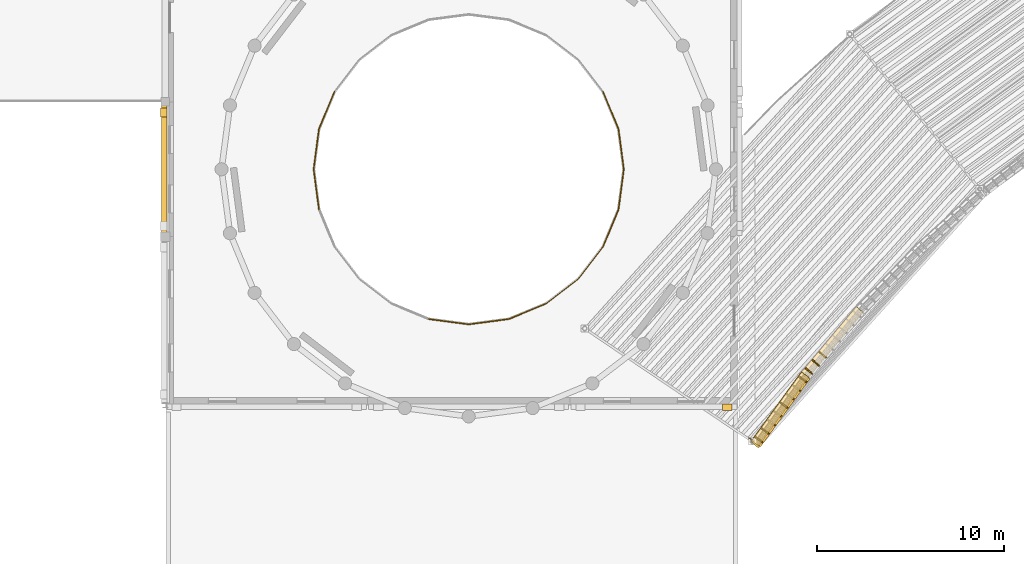
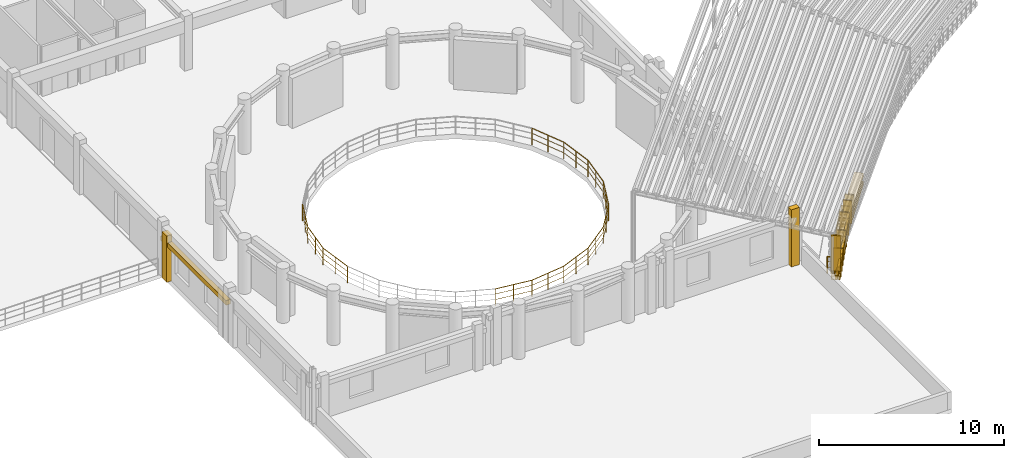
# One storey, part 62 of 74: 16 shading devices, 15 coverings, 15 railings.
"""IFC4 building model written with IfcOpenShell, lengths in metres."""

from ifc_helpers import new_model, si_unit, direction, frame, frame_2d, origin, origin_2d, place, context, subcontext, project, spatial, rectangle, circle, extrude, material, layer, layer_set, type_object, element, save


model = new_model("IFC4")

# Units and contexts
model_context = context("Model", 3, precision=1e-05, world=origin(), true_north=direction((0.0, 1.0)))
body_context = subcontext(model_context, "Body", "Model", "MODEL_VIEW")
ifc_project = project(units=[si_unit("LENGTHUNIT", "METRE"), si_unit("AREAUNIT", "SQUARE_METRE"), si_unit("VOLUMEUNIT", "CUBIC_METRE"), si_unit("PLANEANGLEUNIT", "RADIAN"), si_unit("MASSUNIT", "GRAM", prefix="KILO")], contexts=[model_context])

# Site, building, storey
site_placement = place(None, origin())
site = spatial("IfcSite", under=ifc_project, at=site_placement, CompositionType="ELEMENT")
building_placement = place(site_placement, origin())
building = spatial("IfcBuilding", under=site, at=building_placement, Name="Clarverna Civic Hall", CompositionType="ELEMENT")
storey_placement = place(building_placement, frame((0.0, 0.0, 13.199951171875)))
storey = spatial("IfcBuildingStorey", under=building, at=storey_placement, Name="L03", CompositionType="ELEMENT", Elevation=13.199951171875)

# Coverings
ifc_material_1 = material(Name="Thermally Modified Teak Wood Slat Fascia Cladding", Category="wood")
ifc_layer_1 = layer(ifc_material_1, 0.080078125)
ifc_layer_set_1 = layer_set([ifc_layer_1], Name="Thermally Modified Teak Wood Slat Fascia Cladding")
covering_type_1 = type_object("IfcCoveringType", Name="CV-CL1", PredefinedType="CLADDING", material=ifc_layer_set_1)
for number, where, z_axis, x_axis, name in (
    (1, (103.684814453125, 51.51171875, -0.3798828125), (0.0, 0.0, 1.0), (-0.642776820279, -0.766053496377, 0.0), "CV-CL1-175"),
    (2, (103.684814453125, 51.51171875, 0.16015625), (0.0, 0.0, 1.0), (-0.642776820279, -0.766053496377, 0.0), "CV-CL1-176"),
):
    element("IfcCovering", number, at=place(storey_placement, frame(where, z_axis=z_axis, x_axis=x_axis)), inside=storey, type_object=covering_type_1, Name=name, PredefinedType="CLADDING", context=body_context, shape_type="SweptSolid", body=[
        extrude(rectangle(XDim=4.551025390625, YDim=0.5, at=frame_2d((2.275390625, 0.0))), origin(), (0.0, 0.0, 1.0), 0.260009765625),
    ])
for number, where, z_axis, x_axis, name in (
    (3, (101.1396484375, 48.820556640625, -0.35986328125), (0.0, 0.0, 1.0), (0.765935619131, -0.642917278774, 0.0), "CV-CL1-180"),
    (4, (100.77392578125, 48.384765625, -0.35986328125), (0.0, 0.0, 1.0), (0.765935619131, -0.642917278774, 0.0), "CV-CL1-181"),
):
    element("IfcCovering", number, at=place(storey_placement, frame(where, z_axis=z_axis, x_axis=x_axis)), inside=storey, type_object=covering_type_1, Name=name, PredefinedType="CLADDING", context=body_context, shape_type="SweptSolid", body=[
        extrude(rectangle(XDim=0.5, YDim=0.070068359375, at=frame_2d((0.25, 0.0))), origin(), (0.0, 0.0, 1.0), 1.52001953125),
    ])
for number, where, z_axis, x_axis, name in (
    (5, (100.767333984375, 48.035400390625, -0.3798828125), (0.0, 0.0, 1.0), (-0.587785678369, -0.809016684812, 0.0), "CV-CL1-182"),
    (6, (100.767333984375, 48.035400390625, 0.16015625), (0.0, 0.0, 1.0), (-0.587785678369, -0.809016684812, 0.0), "CV-CL1-183"),
):
    element("IfcCovering", number, at=place(storey_placement, frame(where, z_axis=z_axis, x_axis=x_axis)), inside=storey, type_object=covering_type_1, Name=name, PredefinedType="CLADDING", context=body_context, shape_type="SweptSolid", body=[
        extrude(rectangle(XDim=4.551025390625, YDim=0.5, at=frame_2d((2.275390625, 0.0))), origin(), (0.0, 0.0, 1.0), 0.260009765625),
    ])
covering_1_placement = place(storey_placement, frame((100.767333984375, 48.035400390625, 0.679931640625), z_axis=(0.0, 0.0, 1.0), x_axis=(-0.587785678369, -0.809016684812, 0.0)))
element("IfcCovering", 7, at=covering_1_placement, inside=storey, type_object=covering_type_1, Name="CV-CL1-184", PredefinedType="CLADDING", context=body_context, shape_type="SweptSolid", body=[
    extrude(rectangle(XDim=4.551025390625, YDim=0.5, at=frame_2d((2.275390625, 0.0))), origin(), (0.0, 0.0, 1.0), 0.280029296875),
])
covering_2_placement = place(storey_placement, frame((100.422119140625, 47.9345703125, -0.35986328125), z_axis=(0.0, 0.0, 1.0), x_axis=(0.808989358634, -0.587823287746, 0.0)))
element("IfcCovering", 8, at=covering_2_placement, inside=storey, type_object=covering_type_1, Name="CV-CL1-185", PredefinedType="CLADDING", context=body_context, shape_type="SweptSolid", body=[
    extrude(rectangle(XDim=0.5, YDim=0.070068359375, at=frame_2d((0.25, 0.0))), origin(), (0.0, 0.0, 1.0), 1.52001953125),
])
covering_3_placement = place(storey_placement, frame((99.419189453125, 46.553955078125, -0.35986328125), z_axis=(0.0, 0.0, 1.0), x_axis=(0.808820559111, -0.588055527276, 0.0)))
element("IfcCovering", 9, at=covering_3_placement, inside=storey, type_object=covering_type_1, Name="CV-CL1-186", PredefinedType="CLADDING", context=body_context, shape_type="SweptSolid", body=[
    extrude(rectangle(XDim=0.499755859375, YDim=0.070068359375, at=frame_2d((0.25, 0.0))), origin(), (0.0, 0.0, 1.0), 1.52001953125),
])
for number, where, z_axis, x_axis, name in (
    (10, (98.416015625, 45.173095703125, -0.35986328125), (0.0, 0.0, 1.0), (0.809221534158, -0.587503624376, 0.0), "CV-CL1-187"),
    (11, (98.08154296875, 44.712890625, -0.35986328125), (0.0, 0.0, 1.0), (0.809221534158, -0.587503624376, 0.0), "CV-CL1-188"),
):
    element("IfcCovering", number, at=place(storey_placement, frame(where, z_axis=z_axis, x_axis=x_axis)), inside=storey, type_object=covering_type_1, Name=name, PredefinedType="CLADDING", context=body_context, shape_type="SweptSolid", body=[
        extrude(rectangle(XDim=0.5, YDim=0.070068359375, at=frame_2d((0.25, 0.0))), origin(), (0.0, 0.0, 1.0), 1.52001953125),
    ])
covering_4_placement = place(storey_placement, frame((97.90966796875, 44.492919921875, 0.25), z_axis=(0.0, 0.0, 1.0), x_axis=(0.743008419949, -0.669282069, 0.0)))
element("IfcCovering", 12, at=covering_4_placement, inside=storey, type_object=covering_type_1, Name="CV-CL1-198", PredefinedType="CLADDING", context=body_context, shape_type="SweptSolid", body=[
    extrude(rectangle(XDim=0.510009765625, YDim=0.10009765625, at=frame_2d((0.2548828125, 0.0))), origin(), (0.0, 0.0, 1.0), 2.35009765625),
])
ifc_material_2 = material(Name="Montjuic Buff Limestone Ashlar Cladding", Category="masonry")
ifc_layer_2 = layer(ifc_material_2, 0.070068359375)
ifc_layer_set_2 = layer_set([ifc_layer_2], Name="Montjuic Buff Limestone Ashlar Cladding")
covering_type_2 = type_object("IfcCoveringType", Name="CV-CL2", PredefinedType="CLADDING", material=ifc_layer_set_2)
covering_5_placement = place(storey_placement, frame((96.85498046875, 46.2900390625, 0.0), z_axis=(0.0, 0.0, 1.0), x_axis=(-1.0, 0.0, 0.0)))
element("IfcCovering", 13, at=covering_5_placement, inside=storey, type_object=covering_type_2, Name="CV-CL2-606", PredefinedType="CLADDING", context=body_context, shape_type="SweptSolid", body=[
    extrude(rectangle(XDim=0.5, YDim=0.340087890625, at=frame_2d((0.25, 0.0))), origin(), (0.0, 0.0, 1.0), 3.780029296875),
])
covering_6_placement = place(storey_placement, frame((66.544921875, 55.4599609375, 2.300048828125), z_axis=(0.0, 0.0, 1.0), x_axis=(0.0, 1.0, 0.0)))
element("IfcCovering", 14, at=covering_6_placement, inside=storey, type_object=covering_type_2, Name="CV-CL2-617", PredefinedType="CLADDING", context=body_context, shape_type="SweptSolid", body=[
    extrude(rectangle(XDim=7.080078125, YDim=0.280029296875, at=frame_2d((3.5400390625, 0.0))), origin(), (0.0, 0.0, 1.0), 0.300048828125),
])
covering_7_placement = place(storey_placement, frame((66.514892578125, 61.780029296875, 0.0), z_axis=(0.0, 0.0, 1.0), x_axis=(0.0, 1.0, 0.0)))
element("IfcCovering", 15, at=covering_7_placement, inside=storey, type_object=covering_type_2, Name="CV-CL2-619", PredefinedType="CLADDING", context=body_context, shape_type="SweptSolid", body=[
    extrude(rectangle(XDim=0.5, YDim=0.340087890625, at=frame_2d((0.25, 0.0))), origin(), (0.0, 0.0, 1.0), 3.06005859375),
])

# Railings
ifc_material_3 = material(Name="Anodised Bronze Architectural Balustrade")
railing_type_1 = type_object("IfcRailingType", Name="GR-01", PredefinedType="BALUSTRADE", material=ifc_material_3)
railing_1_placement = place(storey_placement, frame((100.5732421875, 48.176513671875, 0.0)))
element("IfcRailing", 16, at=railing_1_placement, inside=storey, type_object=railing_type_1, Name="GR-01-023", PredefinedType="BALUSTRADE", context=body_context, shape_type="SweptSolid", body=[
    extrude(circle(Radius=0.02392578125, at=origin_2d()), frame((0.0, 0.0, 1.09619140625), z_axis=(-0.587785678369, -0.809016684812, 0.0), x_axis=(0.809016684812, -0.587785678369, 0.0)), (0.0, 0.0, 1.0), 4.551025390625),
    extrude(circle(Radius=0.011962890625, at=origin_2d()), frame((0.0, 0.0, 0.39208984375), z_axis=(-0.587785678369, -0.809016684812, 0.0), x_axis=(0.809016684812, -0.587785678369, 0.0)), (0.0, 0.0, 1.0), 4.551025390625),
    extrude(circle(Radius=0.011962890625, at=origin_2d()), frame((0.0, 0.0, 0.76171875), z_axis=(-0.587785678369, -0.809016684812, 0.0), x_axis=(0.809016684812, -0.587785678369, 0.0)), (0.0, 0.0, 1.0), 4.551025390625),
    extrude(circle(Radius=0.02099609375, at=origin_2d()), origin(), (0.0, 0.0, 1.0), 1.072021484375),
    extrude(circle(Radius=0.02099609375, at=origin_2d()), frame((-0.668701171875, -0.92041015625, 0.0)), (0.0, 0.0, 1.0), 1.072021484375),
    extrude(circle(Radius=0.02099609375, at=origin_2d()), frame((-1.33740234375, -1.8408203125, 0.0)), (0.0, 0.0, 1.0), 1.072021484375),
    extrude(circle(Radius=0.02099609375, at=origin_2d()), frame((-2.00634765625, -2.761474609375, 0.0)), (0.0, 0.0, 1.0), 1.072021484375),
    extrude(circle(Radius=0.02099609375, at=origin_2d()), frame((-2.675048828125, -3.681884765625, 0.0)), (0.0, 0.0, 1.0), 1.072021484375),
])
railing_2_placement = place(storey_placement, frame((97.98046875, 44.509033203125, 0.0)))
element("IfcRailing", 17, at=railing_2_placement, inside=storey, type_object=railing_type_1, Name="GR-01-024", PredefinedType="BALUSTRADE", context=body_context, shape_type="SweptSolid", body=[
    extrude(circle(Radius=0.02392578125, at=origin_2d()), frame((0.0, 0.0, 1.09619140625), z_axis=(-0.829091794241, 0.559112508108, 0.0), x_axis=(-0.559112508108, -0.829091794241, 0.0)), (0.0, 0.0, 1.0), 0.267578125),
    extrude(circle(Radius=0.011962890625, at=origin_2d()), frame((0.0, 0.0, 0.39208984375), z_axis=(-0.829091794241, 0.559112508108, 0.0), x_axis=(-0.559112508108, -0.829091794241, 0.0)), (0.0, 0.0, 1.0), 0.267578125),
    extrude(circle(Radius=0.011962890625, at=origin_2d()), frame((0.0, 0.0, 0.76171875), z_axis=(-0.829091794241, 0.559112508108, 0.0), x_axis=(-0.559112508108, -0.829091794241, 0.0)), (0.0, 0.0, 1.0), 0.267578125),
    extrude(circle(Radius=0.02099609375, at=origin_2d()), origin(), (0.0, 0.0, 1.0), 1.072021484375),
    extrude(circle(Radius=0.02099609375, at=origin_2d()), frame((-0.221923828125, 0.149658203125, 0.0)), (0.0, 0.0, 1.0), 1.072021484375),
])
railing_type_2 = type_object("IfcRailingType", Name="GR-02", PredefinedType="BALUSTRADE", material=ifc_material_3)
railing_3_placement = place(storey_placement, frame((91.080810546875, 59.0, 0.0)))
element("IfcRailing", 18, at=railing_3_placement, inside=storey, type_object=railing_type_2, Name="GR-02-240", PredefinedType="BALUSTRADE", context=body_context, shape_type="SweptSolid", body=[
    extrude(circle(Radius=0.02392578125, at=origin_2d()), frame((0.0, 0.0, 1.09619140625), z_axis=(-0.130550916571, -0.991441606038, 0.0), x_axis=(0.991441606038, -0.130550916571, 0.0)), (0.0, 0.0, 1.0), 2.161865234375),
    extrude(circle(Radius=0.011962890625, at=origin_2d()), frame((0.0, 0.0, 0.39208984375), z_axis=(-0.130550916571, -0.991441606038, 0.0), x_axis=(0.991441606038, -0.130550916571, 0.0)), (0.0, 0.0, 1.0), 2.161865234375),
    extrude(circle(Radius=0.011962890625, at=origin_2d()), frame((0.0, 0.0, 0.76171875), z_axis=(-0.130550916571, -0.991441606038, 0.0), x_axis=(0.991441606038, -0.130550916571, 0.0)), (0.0, 0.0, 1.0), 2.161865234375),
    extrude(circle(Radius=0.02099609375, at=origin_2d()), origin(), (0.0, 0.0, 1.0), 1.072021484375),
    extrude(circle(Radius=0.02099609375, at=origin_2d()), frame((-0.14111328125, -1.07177734375, 0.0)), (0.0, 0.0, 1.0), 1.072021484375),
    extrude(circle(Radius=0.02099609375, at=origin_2d()), frame((-0.2822265625, -2.143310546875, 0.0)), (0.0, 0.0, 1.0), 1.072021484375),
])
railing_4_placement = place(storey_placement, frame((90.798583984375, 56.856689453125, 0.0)))
element("IfcRailing", 19, at=railing_4_placement, inside=storey, type_object=railing_type_2, Name="GR-02-241", PredefinedType="BALUSTRADE", context=body_context, shape_type="SweptSolid", body=[
    extrude(circle(Radius=0.02392578125, at=origin_2d()), frame((0.0, 0.0, 1.09619140625), z_axis=(-0.382754098525, -0.923850258463, 0.0), x_axis=(0.923850258463, -0.382754098525, 0.0)), (0.0, 0.0, 1.0), 2.16162109375),
    extrude(circle(Radius=0.011962890625, at=origin_2d()), frame((0.0, 0.0, 0.39208984375), z_axis=(-0.382754098525, -0.923850258463, 0.0), x_axis=(0.923850258463, -0.382754098525, 0.0)), (0.0, 0.0, 1.0), 2.16162109375),
    extrude(circle(Radius=0.011962890625, at=origin_2d()), frame((0.0, 0.0, 0.76171875), z_axis=(-0.382754098525, -0.923850258463, 0.0), x_axis=(0.923850258463, -0.382754098525, 0.0)), (0.0, 0.0, 1.0), 2.16162109375),
    extrude(circle(Radius=0.02099609375, at=origin_2d()), origin(), (0.0, 0.0, 1.0), 1.072021484375),
    extrude(circle(Radius=0.02099609375, at=origin_2d()), frame((-0.41357421875, -0.99853515625, 0.0)), (0.0, 0.0, 1.0), 1.072021484375),
    extrude(circle(Radius=0.02099609375, at=origin_2d()), frame((-0.827392578125, -1.9970703125, 0.0)), (0.0, 0.0, 1.0), 1.072021484375),
])
railing_5_placement = place(storey_placement, frame((89.97119140625, 54.859619140625, 0.0)))
element("IfcRailing", 20, at=railing_5_placement, inside=storey, type_object=railing_type_2, Name="GR-02-242", PredefinedType="BALUSTRADE", context=body_context, shape_type="SweptSolid", body=[
    extrude(circle(Radius=0.02392578125, at=origin_2d()), frame((0.0, 0.0, 1.09619140625), z_axis=(-0.608656775429, -0.793433632842, 0.0), x_axis=(0.793433632842, -0.608656775429, 0.0)), (0.0, 0.0, 1.0), 2.16162109375),
    extrude(circle(Radius=0.011962890625, at=origin_2d()), frame((0.0, 0.0, 0.39208984375), z_axis=(-0.608656775429, -0.793433632842, 0.0), x_axis=(0.793433632842, -0.608656775429, 0.0)), (0.0, 0.0, 1.0), 2.16162109375),
    extrude(circle(Radius=0.011962890625, at=origin_2d()), frame((0.0, 0.0, 0.76171875), z_axis=(-0.608656775429, -0.793433632842, 0.0), x_axis=(0.793433632842, -0.608656775429, 0.0)), (0.0, 0.0, 1.0), 2.16162109375),
    extrude(circle(Radius=0.02099609375, at=origin_2d()), origin(), (0.0, 0.0, 1.0), 1.072021484375),
    extrude(circle(Radius=0.02099609375, at=origin_2d()), frame((-0.65771484375, -0.857421875, 0.0)), (0.0, 0.0, 1.0), 1.072021484375),
    extrude(circle(Radius=0.02099609375, at=origin_2d()), frame((-1.315673828125, -1.715087890625, 0.0)), (0.0, 0.0, 1.0), 1.072021484375),
])
railing_6_placement = place(storey_placement, frame((88.655517578125, 53.14453125, 0.0)))
element("IfcRailing", 21, at=railing_6_placement, inside=storey, type_object=railing_type_2, Name="GR-02-243", PredefinedType="BALUSTRADE", context=body_context, shape_type="SweptSolid", body=[
    extrude(circle(Radius=0.02392578125, at=origin_2d()), frame((0.0, 0.0, 1.09619140625), z_axis=(-0.793420932323, -0.60867333123, 0.0), x_axis=(0.60867333123, -0.793420932323, 0.0)), (0.0, 0.0, 1.0), 2.161865234375),
    extrude(circle(Radius=0.011962890625, at=origin_2d()), frame((0.0, 0.0, 0.39208984375), z_axis=(-0.793420932323, -0.60867333123, 0.0), x_axis=(0.60867333123, -0.793420932323, 0.0)), (0.0, 0.0, 1.0), 2.161865234375),
    extrude(circle(Radius=0.011962890625, at=origin_2d()), frame((0.0, 0.0, 0.76171875), z_axis=(-0.793420932323, -0.60867333123, 0.0), x_axis=(0.60867333123, -0.793420932323, 0.0)), (0.0, 0.0, 1.0), 2.161865234375),
    extrude(circle(Radius=0.02099609375, at=origin_2d()), origin(), (0.0, 0.0, 1.0), 1.072021484375),
    extrude(circle(Radius=0.02099609375, at=origin_2d()), frame((-0.857666015625, -0.657958984375, 0.0)), (0.0, 0.0, 1.0), 1.072021484375),
    extrude(circle(Radius=0.02099609375, at=origin_2d()), frame((-1.71533203125, -1.31591796875, 0.0)), (0.0, 0.0, 1.0), 1.072021484375),
])
railing_7_placement = place(storey_placement, frame((86.940185546875, 51.82861328125, 0.0)))
element("IfcRailing", 22, at=railing_7_placement, inside=storey, type_object=railing_type_2, Name="GR-02-244", PredefinedType="BALUSTRADE", context=body_context, shape_type="SweptSolid", body=[
    extrude(circle(Radius=0.02392578125, at=origin_2d()), frame((0.0, 0.0, 1.09619140625), z_axis=(-0.923890191634, -0.382657697953, 0.0), x_axis=(0.382657697953, -0.923890191634, 0.0)), (0.0, 0.0, 1.0), 2.16162109375),
    extrude(circle(Radius=0.011962890625, at=origin_2d()), frame((0.0, 0.0, 0.39208984375), z_axis=(-0.923890191634, -0.382657697953, 0.0), x_axis=(0.382657697953, -0.923890191634, 0.0)), (0.0, 0.0, 1.0), 2.16162109375),
    extrude(circle(Radius=0.011962890625, at=origin_2d()), frame((0.0, 0.0, 0.76171875), z_axis=(-0.923890191634, -0.382657697953, 0.0), x_axis=(0.382657697953, -0.923890191634, 0.0)), (0.0, 0.0, 1.0), 2.16162109375),
    extrude(circle(Radius=0.02099609375, at=origin_2d()), origin(), (0.0, 0.0, 1.0), 1.072021484375),
    extrude(circle(Radius=0.02099609375, at=origin_2d()), frame((-0.99853515625, -0.41357421875, 0.0)), (0.0, 0.0, 1.0), 1.072021484375),
    extrude(circle(Radius=0.02099609375, at=origin_2d()), frame((-1.9970703125, -0.8271484375, 0.0)), (0.0, 0.0, 1.0), 1.072021484375),
])
railing_8_placement = place(storey_placement, frame((84.943115234375, 51.00146484375, 0.0)))
element("IfcRailing", 23, at=railing_8_placement, inside=storey, type_object=railing_type_2, Name="GR-02-245", PredefinedType="BALUSTRADE", context=body_context, shape_type="SweptSolid", body=[
    extrude(circle(Radius=0.02392578125, at=origin_2d()), frame((0.0, 0.0, 1.09619140625), z_axis=(-0.991439680931, -0.130565535561, 0.0), x_axis=(0.130565535561, -0.991439680931, 0.0)), (0.0, 0.0, 1.0), 2.16162109375),
    extrude(circle(Radius=0.011962890625, at=origin_2d()), frame((0.0, 0.0, 0.39208984375), z_axis=(-0.991439680931, -0.130565535561, 0.0), x_axis=(0.130565535561, -0.991439680931, 0.0)), (0.0, 0.0, 1.0), 2.16162109375),
    extrude(circle(Radius=0.011962890625, at=origin_2d()), frame((0.0, 0.0, 0.76171875), z_axis=(-0.991439680931, -0.130565535561, 0.0), x_axis=(0.130565535561, -0.991439680931, 0.0)), (0.0, 0.0, 1.0), 2.16162109375),
    extrude(circle(Radius=0.02099609375, at=origin_2d()), origin(), (0.0, 0.0, 1.0), 1.072021484375),
    extrude(circle(Radius=0.02099609375, at=origin_2d()), frame((-1.071533203125, -0.14111328125, 0.0)), (0.0, 0.0, 1.0), 1.072021484375),
    extrude(circle(Radius=0.02099609375, at=origin_2d()), frame((-2.14306640625, -0.2822265625, 0.0)), (0.0, 0.0, 1.0), 1.072021484375),
])
railing_9_placement = place(storey_placement, frame((82.800048828125, 50.71923828125, 0.0)))
element("IfcRailing", 24, at=railing_9_placement, inside=storey, type_object=railing_type_2, Name="GR-02-246", PredefinedType="BALUSTRADE", context=body_context, shape_type="SweptSolid", body=[
    extrude(circle(Radius=0.02392578125, at=origin_2d()), frame((0.0, 0.0, 1.09619140625), z_axis=(-0.991441606038, 0.130550916571, 0.0), x_axis=(-0.130550916571, -0.991441606038, 0.0)), (0.0, 0.0, 1.0), 2.161865234375),
    extrude(circle(Radius=0.011962890625, at=origin_2d()), frame((0.0, 0.0, 0.39208984375), z_axis=(-0.991441606038, 0.130550916571, 0.0), x_axis=(-0.130550916571, -0.991441606038, 0.0)), (0.0, 0.0, 1.0), 2.161865234375),
    extrude(circle(Radius=0.011962890625, at=origin_2d()), frame((0.0, 0.0, 0.76171875), z_axis=(-0.991441606038, 0.130550916571, 0.0), x_axis=(-0.130550916571, -0.991441606038, 0.0)), (0.0, 0.0, 1.0), 2.161865234375),
    extrude(circle(Radius=0.02099609375, at=origin_2d()), origin(), (0.0, 0.0, 1.0), 1.072021484375),
    extrude(circle(Radius=0.02099609375, at=origin_2d()), frame((-1.07177734375, 0.14111328125, 0.0)), (0.0, 0.0, 1.0), 1.072021484375),
    extrude(circle(Radius=0.02099609375, at=origin_2d()), frame((-2.143310546875, 0.2822265625, 0.0)), (0.0, 0.0, 1.0), 1.072021484375),
])
railing_10_placement = place(storey_placement, frame((74.801513671875, 56.856689453125, 0.0)))
element("IfcRailing", 25, at=railing_10_placement, inside=storey, type_object=railing_type_2, Name="GR-02-251", PredefinedType="BALUSTRADE", context=body_context, shape_type="SweptSolid", body=[
    extrude(circle(Radius=0.02392578125, at=origin_2d()), frame((0.0, 0.0, 1.09619140625), z_axis=(-0.130550916571, 0.991441606038, 0.0), x_axis=(-0.991441606038, -0.130550916571, 0.0)), (0.0, 0.0, 1.0), 2.161865234375),
    extrude(circle(Radius=0.011962890625, at=origin_2d()), frame((0.0, 0.0, 0.39208984375), z_axis=(-0.130550916571, 0.991441606038, 0.0), x_axis=(-0.991441606038, -0.130550916571, 0.0)), (0.0, 0.0, 1.0), 2.161865234375),
    extrude(circle(Radius=0.011962890625, at=origin_2d()), frame((0.0, 0.0, 0.76171875), z_axis=(-0.130550916571, 0.991441606038, 0.0), x_axis=(-0.991441606038, -0.130550916571, 0.0)), (0.0, 0.0, 1.0), 2.161865234375),
    extrude(circle(Radius=0.02099609375, at=origin_2d()), origin(), (0.0, 0.0, 1.0), 1.072021484375),
    extrude(circle(Radius=0.02099609375, at=origin_2d()), frame((-0.14111328125, 1.07177734375, 0.0)), (0.0, 0.0, 1.0), 1.072021484375),
    extrude(circle(Radius=0.02099609375, at=origin_2d()), frame((-0.2822265625, 2.143310546875, 0.0)), (0.0, 0.0, 1.0), 1.072021484375),
])
railing_11_placement = place(storey_placement, frame((74.519287109375, 59.0, 0.0)))
element("IfcRailing", 26, at=railing_11_placement, inside=storey, type_object=railing_type_2, Name="GR-02-252", PredefinedType="BALUSTRADE", context=body_context, shape_type="SweptSolid", body=[
    extrude(circle(Radius=0.02392578125, at=origin_2d()), frame((0.0, 0.0, 1.09619140625), z_axis=(0.130550916571, 0.991441606038, 0.0), x_axis=(-0.991441606038, 0.130550916571, 0.0)), (0.0, 0.0, 1.0), 2.161865234375),
    extrude(circle(Radius=0.011962890625, at=origin_2d()), frame((0.0, 0.0, 0.39208984375), z_axis=(0.130550916571, 0.991441606038, 0.0), x_axis=(-0.991441606038, 0.130550916571, 0.0)), (0.0, 0.0, 1.0), 2.161865234375),
    extrude(circle(Radius=0.011962890625, at=origin_2d()), frame((0.0, 0.0, 0.76171875), z_axis=(0.130550916571, 0.991441606038, 0.0), x_axis=(-0.991441606038, 0.130550916571, 0.0)), (0.0, 0.0, 1.0), 2.161865234375),
    extrude(circle(Radius=0.02099609375, at=origin_2d()), origin(), (0.0, 0.0, 1.0), 1.072021484375),
    extrude(circle(Radius=0.02099609375, at=origin_2d()), frame((0.14111328125, 1.07177734375, 0.0)), (0.0, 0.0, 1.0), 1.072021484375),
    extrude(circle(Radius=0.02099609375, at=origin_2d()), frame((0.2822265625, 2.143310546875, 0.0)), (0.0, 0.0, 1.0), 1.072021484375),
])
railing_12_placement = place(storey_placement, frame((74.801513671875, 61.143310546875, 0.0)))
element("IfcRailing", 27, at=railing_12_placement, inside=storey, type_object=railing_type_2, Name="GR-02-253", PredefinedType="BALUSTRADE", context=body_context, shape_type="SweptSolid", body=[
    extrude(circle(Radius=0.02392578125, at=origin_2d()), frame((0.0, 0.0, 1.09619140625), z_axis=(0.382657697953, 0.923890191634, 0.0), x_axis=(-0.923890191634, 0.382657697953, 0.0)), (0.0, 0.0, 1.0), 2.16162109375),
    extrude(circle(Radius=0.011962890625, at=origin_2d()), frame((0.0, 0.0, 0.39208984375), z_axis=(0.382657697953, 0.923890191634, 0.0), x_axis=(-0.923890191634, 0.382657697953, 0.0)), (0.0, 0.0, 1.0), 2.16162109375),
    extrude(circle(Radius=0.011962890625, at=origin_2d()), frame((0.0, 0.0, 0.76171875), z_axis=(0.382657697953, 0.923890191634, 0.0), x_axis=(-0.923890191634, 0.382657697953, 0.0)), (0.0, 0.0, 1.0), 2.16162109375),
    extrude(circle(Radius=0.02099609375, at=origin_2d()), origin(), (0.0, 0.0, 1.0), 1.072021484375),
    extrude(circle(Radius=0.02099609375, at=origin_2d()), frame((0.41357421875, 0.99853515625, 0.0)), (0.0, 0.0, 1.0), 1.072021484375),
    extrude(circle(Radius=0.02099609375, at=origin_2d()), frame((0.8271484375, 1.9970703125, 0.0)), (0.0, 0.0, 1.0), 1.072021484375),
])
railing_13_placement = place(storey_placement, frame((89.97119140625, 63.140380859375, 0.0)))
element("IfcRailing", 28, at=railing_13_placement, inside=storey, type_object=railing_type_2, Name="GR-02-262", PredefinedType="BALUSTRADE", context=body_context, shape_type="SweptSolid", body=[
    extrude(circle(Radius=0.02392578125, at=origin_2d()), frame((0.0, 0.0, 1.09619140625), z_axis=(0.382754098525, -0.923850258463, 0.0), x_axis=(0.923850258463, 0.382754098525, 0.0)), (0.0, 0.0, 1.0), 2.16162109375),
    extrude(circle(Radius=0.011962890625, at=origin_2d()), frame((0.0, 0.0, 0.39208984375), z_axis=(0.382754098525, -0.923850258463, 0.0), x_axis=(0.923850258463, 0.382754098525, 0.0)), (0.0, 0.0, 1.0), 2.16162109375),
    extrude(circle(Radius=0.011962890625, at=origin_2d()), frame((0.0, 0.0, 0.76171875), z_axis=(0.382754098525, -0.923850258463, 0.0), x_axis=(0.923850258463, 0.382754098525, 0.0)), (0.0, 0.0, 1.0), 2.16162109375),
    extrude(circle(Radius=0.02099609375, at=origin_2d()), origin(), (0.0, 0.0, 1.0), 1.072021484375),
    extrude(circle(Radius=0.02099609375, at=origin_2d()), frame((0.41357421875, -0.99853515625, 0.0)), (0.0, 0.0, 1.0), 1.072021484375),
    extrude(circle(Radius=0.02099609375, at=origin_2d()), frame((0.827392578125, -1.9970703125, 0.0)), (0.0, 0.0, 1.0), 1.072021484375),
])
railing_14_placement = place(storey_placement, frame((90.798583984375, 61.143310546875, 0.0)))
element("IfcRailing", 29, at=railing_14_placement, inside=storey, type_object=railing_type_2, Name="GR-02-263", PredefinedType="BALUSTRADE", context=body_context, shape_type="SweptSolid", body=[
    extrude(circle(Radius=0.02392578125, at=origin_2d()), frame((0.0, 0.0, 1.09619140625), z_axis=(0.130550916571, -0.991441606038, 0.0), x_axis=(0.991441606038, 0.130550916571, 0.0)), (0.0, 0.0, 1.0), 2.161865234375),
    extrude(circle(Radius=0.011962890625, at=origin_2d()), frame((0.0, 0.0, 0.39208984375), z_axis=(0.130550916571, -0.991441606038, 0.0), x_axis=(0.991441606038, 0.130550916571, 0.0)), (0.0, 0.0, 1.0), 2.161865234375),
    extrude(circle(Radius=0.011962890625, at=origin_2d()), frame((0.0, 0.0, 0.76171875), z_axis=(0.130550916571, -0.991441606038, 0.0), x_axis=(0.991441606038, 0.130550916571, 0.0)), (0.0, 0.0, 1.0), 2.161865234375),
    extrude(circle(Radius=0.02099609375, at=origin_2d()), origin(), (0.0, 0.0, 1.0), 1.072021484375),
    extrude(circle(Radius=0.02099609375, at=origin_2d()), frame((0.14111328125, -1.07177734375, 0.0)), (0.0, 0.0, 1.0), 1.072021484375),
    extrude(circle(Radius=0.02099609375, at=origin_2d()), frame((0.2822265625, -2.143310546875, 0.0)), (0.0, 0.0, 1.0), 1.072021484375),
])
ifc_material_4 = material(Name="Thermally Modified Teak Wood Slat Fascia Rail", Category="wood")
railing_type_3 = type_object("IfcRailingType", Name="GR-03", PredefinedType="BALUSTRADE", material=ifc_material_4)
railing_15_placement = place(storey_placement, frame((100.701171875, 48.04638671875, 0.0)))
element("IfcRailing", 30, at=railing_15_placement, inside=storey, type_object=railing_type_3, Name="GR-03-017", PredefinedType="BALUSTRADE", context=body_context, shape_type="SweptSolid", body=[
    extrude(circle(Radius=0.02392578125, at=origin_2d()), frame((0.0, 0.0, 1.09619140625), z_axis=(-0.587770809837, -0.809027487236, 0.0), x_axis=(0.809027487236, -0.587770809837, 0.0)), (0.0, 0.0, 1.0), 4.490966796875),
    extrude(circle(Radius=0.011962890625, at=origin_2d()), frame((0.0, 0.0, 0.39208984375), z_axis=(-0.587770809837, -0.809027487236, 0.0), x_axis=(0.809027487236, -0.587770809837, 0.0)), (0.0, 0.0, 1.0), 4.490966796875),
    extrude(circle(Radius=0.011962890625, at=origin_2d()), frame((0.0, 0.0, 0.76171875), z_axis=(-0.587770809837, -0.809027487236, 0.0), x_axis=(0.809027487236, -0.587770809837, 0.0)), (0.0, 0.0, 1.0), 4.490966796875),
    extrude(circle(Radius=0.02099609375, at=origin_2d()), origin(), (0.0, 0.0, 1.0), 1.072021484375),
    extrude(circle(Radius=0.02099609375, at=origin_2d()), frame((-0.659912109375, -0.908203125, 0.0)), (0.0, 0.0, 1.0), 1.072021484375),
    extrude(circle(Radius=0.02099609375, at=origin_2d()), frame((-1.31982421875, -1.816650390625, 0.0)), (0.0, 0.0, 1.0), 1.072021484375),
    extrude(circle(Radius=0.02099609375, at=origin_2d()), frame((-1.979736328125, -2.72509765625, 0.0)), (0.0, 0.0, 1.0), 1.072021484375),
    extrude(circle(Radius=0.02099609375, at=origin_2d()), frame((-2.6396484375, -3.63330078125, 0.0)), (0.0, 0.0, 1.0), 1.072021484375),
])

# Shading devices
ifc_material_5 = material(Name="Thermally Modified Teak Wood Slats", Category="wood")
ifc_layer_3 = layer(ifc_material_5, 0.06494140625)
ifc_layer_set_3 = layer_set([ifc_layer_3], Name="Thermally Modified Teak Wood Slats")
shading_device_type = type_object("IfcShadingDeviceType", Name="SD-WD1", PredefinedType="JALOUSIE", material=ifc_layer_set_3)
for number, where, z_axis, x_axis, name in (
    (31, (101.505126953125, 49.256103515625, -0.35986328125), (0.0, 0.0, 1.0), (0.766176031171, -0.642630756546, 0.0), "SD-WD1-237"),
    (32, (101.1396484375, 48.820556640625, -0.35986328125), (0.0, 0.0, 1.0), (0.765935619131, -0.642917278774, 0.0), "SD-WD1-238"),
    (33, (100.77392578125, 48.384765625, -0.35986328125), (0.0, 0.0, 1.0), (0.765935619131, -0.642917278774, 0.0), "SD-WD1-239"),
):
    element("IfcShadingDevice", number, at=place(storey_placement, frame(where, z_axis=z_axis, x_axis=x_axis)), inside=storey, type_object=shading_device_type, Name=name, PredefinedType="JALOUSIE", context=body_context, shape_type="SweptSolid", body=[
        extrude(rectangle(XDim=0.5, YDim=0.06494140625, at=frame_2d((0.25, 0.0))), origin(), (0.0, 0.0, 1.0), 1.5),
    ])
for number, where, z_axis, x_axis, name in (
    (34, (100.781982421875, 47.987548828125, -0.35986328125), (0.0, 0.0, 1.0), (-0.587796661431, -0.809008705028, 0.0), "SD-WD1-240"),
    (35, (100.83056640625, 47.9521484375, -0.079833984375), (0.0, 0.0, 1.0), (-0.587796661431, -0.809008705028, 0.0), "SD-WD1-241"),
):
    element("IfcShadingDevice", number, at=place(storey_placement, frame(where, z_axis=z_axis, x_axis=x_axis)), inside=storey, type_object=shading_device_type, Name=name, PredefinedType="JALOUSIE", context=body_context, shape_type="SweptSolid", body=[
        extrude(rectangle(XDim=4.49072265625, YDim=0.139892578125, at=frame_2d((2.245361328125, 0.0))), origin(), (0.0, 0.0, 1.0), 0.239990234375),
    ])
shading_device_1_placement = place(storey_placement, frame((100.879150390625, 47.9169921875, 0.219970703125), z_axis=(0.0, 0.0, 1.0), x_axis=(-0.587770809837, -0.809027487236, 0.0)))
element("IfcShadingDevice", 36, at=shading_device_1_placement, inside=storey, type_object=shading_device_type, Name="SD-WD1-242", PredefinedType="JALOUSIE", context=body_context, shape_type="SweptSolid", body=[
    extrude(rectangle(XDim=4.490966796875, YDim=0.139892578125, at=frame_2d((2.24560546875, 0.0))), origin(), (0.0, 0.0, 1.0), 0.239990234375),
])
for number, where, z_axis, x_axis, name in (
    (37, (100.927734375, 47.881591796875, 0.5400390625), (0.0, 0.0, 1.0), (-0.587796661431, -0.809008705028, 0.0), "SD-WD1-243"),
    (38, (100.968017578125, 47.852294921875, 0.860107421875), (0.0, 0.0, 1.0), (-0.587761077962, -0.809034557502, 0.0), "SD-WD1-244"),
):
    element("IfcShadingDevice", number, at=place(storey_placement, frame(where, z_axis=z_axis, x_axis=x_axis)), inside=storey, type_object=shading_device_type, Name=name, PredefinedType="JALOUSIE", context=body_context, shape_type="SweptSolid", body=[
        extrude(rectangle(XDim=4.49072265625, YDim=0.139892578125, at=frame_2d((2.245361328125, 0.0))), origin(), (0.0, 0.0, 1.0), 0.239990234375),
    ])
shading_device_2_placement = place(storey_placement, frame((100.422119140625, 47.9345703125, -0.35986328125), z_axis=(0.0, 0.0, 1.0), x_axis=(0.808989358634, -0.587823287746, 0.0)))
element("IfcShadingDevice", 39, at=shading_device_2_placement, inside=storey, type_object=shading_device_type, Name="SD-WD1-245", PredefinedType="JALOUSIE", context=body_context, shape_type="SweptSolid", body=[
    extrude(rectangle(XDim=0.5, YDim=0.06494140625, at=frame_2d((0.25, 0.0))), origin(), (0.0, 0.0, 1.0), 1.5),
])
shading_device_3_placement = place(storey_placement, frame((100.087890625, 47.474365234375, -0.35986328125), z_axis=(0.0, 0.0, 1.0), x_axis=(0.808820559111, -0.588055527276, 0.0)))
element("IfcShadingDevice", 40, at=shading_device_3_placement, inside=storey, type_object=shading_device_type, Name="SD-WD1-246", PredefinedType="JALOUSIE", context=body_context, shape_type="SweptSolid", body=[
    extrude(rectangle(XDim=0.499755859375, YDim=0.06494140625, at=frame_2d((0.25, 0.0))), origin(), (0.0, 0.0, 1.0), 1.5),
])
shading_device_4_placement = place(storey_placement, frame((99.75341796875, 47.01416015625, -0.35986328125), z_axis=(0.0, 0.0, 1.0), x_axis=(0.808989358634, -0.587823287746, 0.0)))
element("IfcShadingDevice", 41, at=shading_device_4_placement, inside=storey, type_object=shading_device_type, Name="SD-WD1-247", PredefinedType="JALOUSIE", context=body_context, shape_type="SweptSolid", body=[
    extrude(rectangle(XDim=0.5, YDim=0.06494140625, at=frame_2d((0.25, 0.0))), origin(), (0.0, 0.0, 1.0), 1.5),
])
shading_device_5_placement = place(storey_placement, frame((99.419189453125, 46.553955078125, -0.35986328125), z_axis=(0.0, 0.0, 1.0), x_axis=(0.808820559111, -0.588055527276, 0.0)))
element("IfcShadingDevice", 42, at=shading_device_5_placement, inside=storey, type_object=shading_device_type, Name="SD-WD1-248", PredefinedType="JALOUSIE", context=body_context, shape_type="SweptSolid", body=[
    extrude(rectangle(XDim=0.499755859375, YDim=0.06494140625, at=frame_2d((0.25, 0.0))), origin(), (0.0, 0.0, 1.0), 1.5),
])
for number, where, z_axis, x_axis, name in (
    (43, (99.084716796875, 46.09375, -0.35986328125), (0.0, 0.0, 1.0), (0.808989358634, -0.587823287746, 0.0), "SD-WD1-249"),
    (44, (98.750244140625, 45.63330078125, -0.35986328125), (0.0, 0.0, 1.0), (0.809221534158, -0.587503624376, 0.0), "SD-WD1-250"),
    (45, (98.416015625, 45.173095703125, -0.35986328125), (0.0, 0.0, 1.0), (0.809221534158, -0.587503624376, 0.0), "SD-WD1-251"),
    (46, (98.08154296875, 44.712890625, -0.35986328125), (0.0, 0.0, 1.0), (0.809221534158, -0.587503624376, 0.0), "SD-WD1-252"),
):
    element("IfcShadingDevice", number, at=place(storey_placement, frame(where, z_axis=z_axis, x_axis=x_axis)), inside=storey, type_object=shading_device_type, Name=name, PredefinedType="JALOUSIE", context=body_context, shape_type="SweptSolid", body=[
        extrude(rectangle(XDim=0.5, YDim=0.06494140625, at=frame_2d((0.25, 0.0))), origin(), (0.0, 0.0, 1.0), 1.5),
    ])

save(model, "model.ifc")
